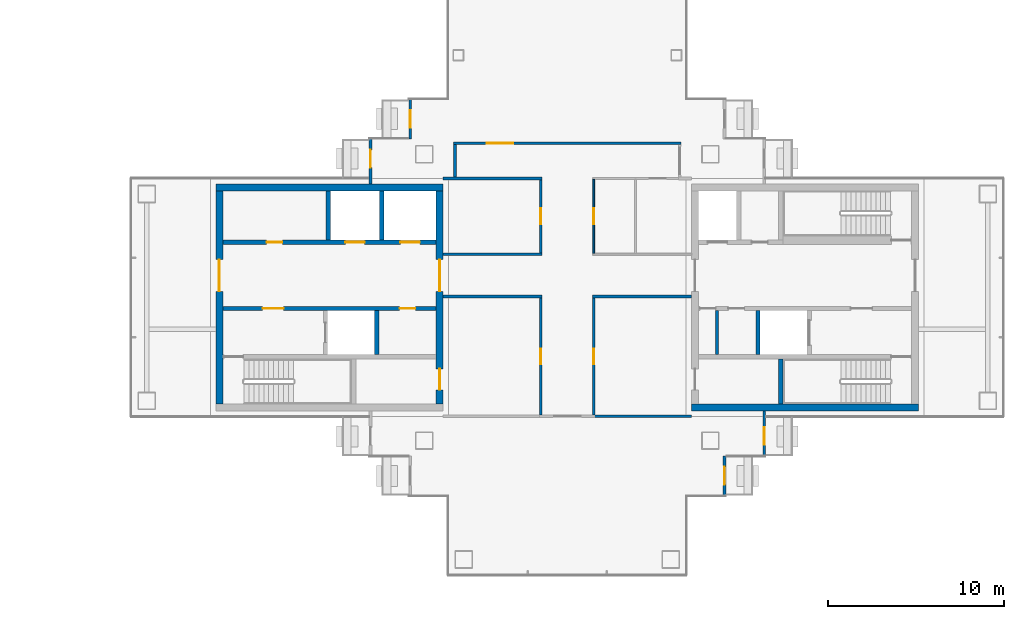
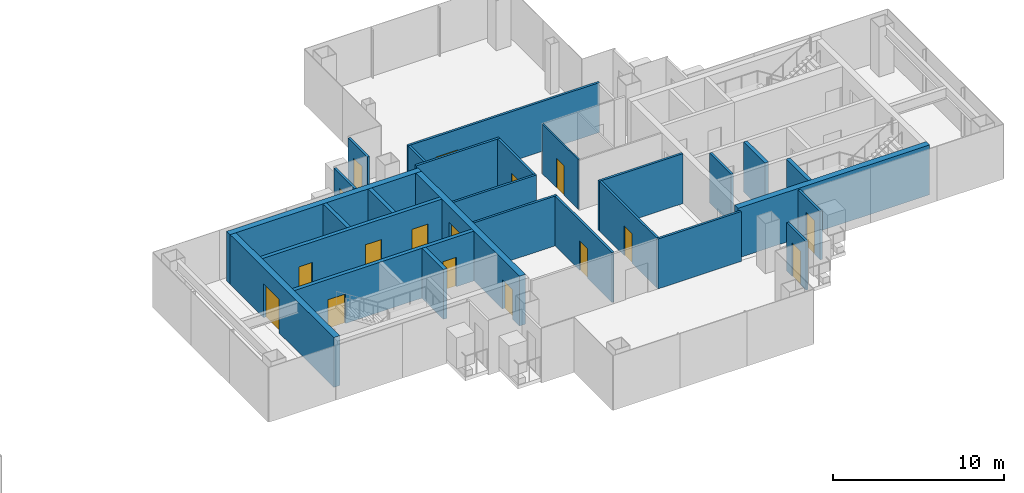
# One storey, part 11 of 16: 27 walls, 17 doors, 17 openings.
"""IFC4 building model written with IfcOpenShell, lengths in metres."""

from ifc_helpers import new_model, si_unit, direction, frame, frame_2d, origin, place, context, subcontext, project, spatial, rectangle, extrude, material, layer, layer_set, type_object, element, fill, save


model = new_model("IFC4")

# Units and contexts
model_context = context("Model", 3, precision=1e-05, world=origin(), true_north=direction((0.0, 1.0)))
body_context = subcontext(model_context, "Body", "Model", "MODEL_VIEW")
ifc_project = project(units=[si_unit("LENGTHUNIT", "METRE"), si_unit("AREAUNIT", "SQUARE_METRE"), si_unit("VOLUMEUNIT", "CUBIC_METRE"), si_unit("PLANEANGLEUNIT", "RADIAN"), si_unit("MASSUNIT", "GRAM", prefix="KILO")], contexts=[model_context])

# Site, building, storey
site_placement = place(None, origin())
site = spatial("IfcSite", under=ifc_project, at=site_placement, CompositionType="ELEMENT")
building_placement = place(site_placement, origin())
building = spatial("IfcBuilding", under=site, at=building_placement, Name="Shamsa Quay Exchange Towers", CompositionType="ELEMENT")
storey_placement = place(building_placement, frame((0.0, 0.0, 210.0)))
storey = spatial("IfcBuildingStorey", under=building, at=storey_placement, Name="L50", CompositionType="ELEMENT", Elevation=210.0)

# Wall, opening, door
ifc_material_1 = material(Name="Aluminium EN AW-6063 T6, black anodised, with black enamelled glass infill", Category="aluminium")
ifc_layer_1 = layer(ifc_material_1, 0.14990234375)
ifc_layer_set_1 = layer_set([ifc_layer_1], Name="BALCONY DOOR BAY WALL 150")
wall_type_1 = type_object("IfcWallType", Name="BALCONY DOOR BAY WALL 150", PredefinedType="SOLIDWALL", material=ifc_layer_set_1)
wall_1_placement = place(storey_placement, frame((24.824951171875, 9.0, 0.0), z_axis=(0.0, 0.0, 1.0), x_axis=(0.0, 1.0, 0.0)))
wall_1 = element("IfcWall", 1, at=wall_1_placement, inside=storey, type_object=wall_type_1, Name="Door bay T2-PKEN L50", PredefinedType="SOLIDWALL", context=body_context, shape_type="SweptSolid", body=[
    extrude(rectangle(XDim=2.25, YDim=0.14990234375, at=frame_2d((1.125, 0.0))), origin(), (0.0, 0.0, 1.0), 3.449951171875),
])
opening_1_placement = place(wall_1_placement, frame((0.625, 0.0, 0.0)))
opening_1 = element("IfcOpeningElement", 2, at=opening_1_placement, cuts=wall_1, Name="Opening XD329", PredefinedType="OPENING", context=body_context, shape_type="SweptSolid", body=[
    extrude(rectangle(XDim=1.0, YDim=2.39990234375, at=frame_2d((0.5, 1.199951171875))), frame((0.0, 0.0849609375, 0.0), z_axis=(0.0, -1.0, 0.0), x_axis=(1.0, 0.0, 0.0)), (0.0, 0.0, 1.0), 0.169921875),
])
ifc_material_2 = material(Name="Aluminium EN AW-6063 T6, black anodised, with laminated glass leaf", Category="aluminium")
door_type_1 = type_object("IfcDoorType", Name="BALCONY DOOR 1000x2400", OperationType="SINGLE_SWING_LEFT", PredefinedType="DOOR", material=ifc_material_2)
door_1_placement = place(opening_1_placement, origin())
door_1 = element("IfcDoor", 3, at=door_1_placement, inside=storey, type_object=door_type_1, Name="Balcony door T2-PKEN L50", OperationType="SINGLE_SWING_RIGHT", OverallHeight=2.39990234375, OverallWidth=1.0, PredefinedType="DOOR", context=body_context, shape_type="SweptSolid", body=[
    extrude(rectangle(XDim=1.0, YDim=2.39990234375, at=frame_2d((0.5, 1.199951171875))), frame((0.0, 0.02490234375, 0.0), z_axis=(0.0, -1.0, 0.0), x_axis=(1.0, 0.0, 0.0)), (0.0, 0.0, 1.0), 0.050048828125),
])
fill(opening_1, door_1)

wall_2_placement = place(storey_placement, frame((22.574951171875, 6.447998046875, 0.0), z_axis=(0.0, 0.0, 1.0), x_axis=(0.0, 1.0, 0.0)))
wall_2 = element("IfcWall", 4, at=wall_2_placement, inside=storey, type_object=wall_type_1, Name="Door bay T2-PKEN L50", PredefinedType="SOLIDWALL", context=body_context, shape_type="SweptSolid", body=[
    extrude(rectangle(XDim=2.552001953125, YDim=0.14990234375, at=frame_2d((1.27587890625, 0.0))), origin(), (0.0, 0.0, 1.0), 3.449951171875),
])
opening_2_placement = place(wall_2_placement, frame((0.927001953125, 0.0, 0.0)))
opening_2 = element("IfcOpeningElement", 5, at=opening_2_placement, cuts=wall_2, Name="Opening XD330", PredefinedType="OPENING", context=body_context, shape_type="SweptSolid", body=[
    extrude(rectangle(XDim=1.0, YDim=2.39990234375, at=frame_2d((0.5, 1.199951171875))), frame((0.0, 0.0849609375, 0.0), z_axis=(0.0, -1.0, 0.0), x_axis=(1.0, 0.0, 0.0)), (0.0, 0.0, 1.0), 0.169921875),
])
door_2_placement = place(opening_2_placement, origin())
door_2 = element("IfcDoor", 6, at=door_2_placement, inside=storey, type_object=door_type_1, Name="Balcony door T2-PKEN L50", OperationType="SINGLE_SWING_LEFT", OverallHeight=2.39990234375, OverallWidth=1.0, PredefinedType="DOOR", context=body_context, shape_type="SweptSolid", body=[
    extrude(rectangle(XDim=1.0, YDim=2.39990234375, at=frame_2d((0.5, 1.199951171875))), frame((0.0, 0.02490234375, 0.0), z_axis=(0.0, -1.0, 0.0), x_axis=(1.0, 0.0, 0.0)), (0.0, 0.0, 1.0), 0.050048828125),
])
fill(opening_2, door_2)

wall_3_placement = place(storey_placement, frame((42.675048828125, -9.0, 0.0), z_axis=(0.0, 0.0, 1.0), x_axis=(0.0, -1.0, 0.0)))
wall_3 = element("IfcWall", 7, at=wall_3_placement, inside=storey, type_object=wall_type_1, Name="Door bay T2-PKWS L50", PredefinedType="SOLIDWALL", context=body_context, shape_type="SweptSolid", body=[
    extrude(rectangle(XDim=2.25, YDim=0.14990234375, at=frame_2d((1.125, 0.0))), origin(), (0.0, 0.0, 1.0), 3.449951171875),
])
opening_3_placement = place(wall_3_placement, frame((0.625, 0.0, 0.0)))
opening_3 = element("IfcOpeningElement", 8, at=opening_3_placement, cuts=wall_3, Name="Opening XD335", PredefinedType="OPENING", context=body_context, shape_type="SweptSolid", body=[
    extrude(rectangle(XDim=1.0, YDim=2.39990234375, at=frame_2d((0.5, 1.199951171875))), frame((0.0, 0.0849609375, 0.0), z_axis=(0.0, -1.0, 0.0), x_axis=(1.0, 0.0, 0.0)), (0.0, 0.0, 1.0), 0.169921875),
])
door_3_placement = place(opening_3_placement, origin())
door_3 = element("IfcDoor", 9, at=door_3_placement, inside=storey, type_object=door_type_1, Name="Balcony door T2-PKWS L50", OperationType="SINGLE_SWING_LEFT", OverallHeight=2.39990234375, OverallWidth=1.0, PredefinedType="DOOR", context=body_context, shape_type="SweptSolid", body=[
    extrude(rectangle(XDim=1.0, YDim=2.39990234375, at=frame_2d((0.5, 1.199951171875))), frame((0.0, 0.02490234375, 0.0), z_axis=(0.0, -1.0, 0.0), x_axis=(1.0, 0.0, 0.0)), (0.0, 0.0, 1.0), 0.050048828125),
])
fill(opening_3, door_3)

wall_4_placement = place(storey_placement, frame((44.925048828125, -6.447998046875, 0.0), z_axis=(0.0, 0.0, 1.0), x_axis=(0.0, -1.0, 0.0)))
wall_4 = element("IfcWall", 10, at=wall_4_placement, inside=storey, type_object=wall_type_1, Name="Door bay T2-PKWS L50", PredefinedType="SOLIDWALL", context=body_context, shape_type="SweptSolid", body=[
    extrude(rectangle(XDim=2.552001953125, YDim=0.14990234375, at=frame_2d((1.27587890625, 0.0))), origin(), (0.0, 0.0, 1.0), 3.449951171875),
])
opening_4_placement = place(wall_4_placement, frame((0.927001953125, 0.0, 0.0)))
opening_4 = element("IfcOpeningElement", 11, at=opening_4_placement, cuts=wall_4, Name="Opening XD336", PredefinedType="OPENING", context=body_context, shape_type="SweptSolid", body=[
    extrude(rectangle(XDim=1.0, YDim=2.39990234375, at=frame_2d((0.5, 1.199951171875))), frame((0.0, 0.0849609375, 0.0), z_axis=(0.0, -1.0, 0.0), x_axis=(1.0, 0.0, 0.0)), (0.0, 0.0, 1.0), 0.169921875),
])
door_4_placement = place(opening_4_placement, origin())
door_4 = element("IfcDoor", 12, at=door_4_placement, inside=storey, type_object=door_type_1, Name="Balcony door T2-PKWS L50", OperationType="SINGLE_SWING_RIGHT", OverallHeight=2.39990234375, OverallWidth=1.0, PredefinedType="DOOR", context=body_context, shape_type="SweptSolid", body=[
    extrude(rectangle(XDim=1.0, YDim=2.39990234375, at=frame_2d((0.5, 1.199951171875))), frame((0.0, 0.02490234375, 0.0), z_axis=(0.0, -1.0, 0.0), x_axis=(1.0, 0.0, 0.0)), (0.0, 0.0, 1.0), 0.050048828125),
])
fill(opening_4, door_4)

# Wall
ifc_material_3 = material(Name="Concrete C60/75", Category="concrete")
ifc_layer_2 = layer(ifc_material_3, 0.39990234375)
ifc_layer_set_2 = layer_set([ifc_layer_2], Name="CORE WALL 400 C60/75")
wall_type_2 = type_object("IfcWallType", Name="CORE WALL 400 C60/75", PredefinedType="SHEAR", material=ifc_layer_set_2)
wall_5_placement = place(storey_placement, frame((13.800048828125, 6.25, 0.0)))
element("IfcWall", 13, at=wall_5_placement, inside=storey, type_object=wall_type_2, Name="Core wall T2A-R23-PN", PredefinedType="SHEAR", context=body_context, shape_type="SweptSolid", body=[
    extrude(rectangle(XDim=12.89990234375, YDim=0.39990234375, at=frame_2d((6.449951171875, 0.0))), origin(), (0.0, 0.0, 1.0), 3.550048828125),
])

# Wall, opening, door
wall_6_placement = place(storey_placement, frame((14.0, 6.050048828125, 0.0), z_axis=(0.0, 0.0, 1.0), x_axis=(0.0, -1.0, 0.0)))
wall_6 = element("IfcWall", 14, at=wall_6_placement, inside=storey, type_object=wall_type_2, Name="Core wall T2A-R23-PF", PredefinedType="SHEAR", context=body_context, shape_type="SweptSolid", body=[
    extrude(rectangle(XDim=12.10009765625, YDim=0.39990234375, at=frame_2d((6.050048828125, 0.0))), origin(), (0.0, 0.0, 1.0), 3.550048828125),
])
opening_5_placement = place(wall_6_placement, frame((3.89990234375, 0.0, 0.0)))
opening_5 = element("IfcOpeningElement", 15, at=opening_5_placement, cuts=wall_6, Name="Opening T2A-R23-LBD01", PredefinedType="OPENING", context=body_context, shape_type="SweptSolid", body=[
    extrude(rectangle(XDim=1.800048828125, YDim=2.39990234375, at=frame_2d((0.89990234375, 1.199951171875))), frame((0.0, 0.2099609375, 0.0), z_axis=(0.0, -1.0, 0.0), x_axis=(1.0, 0.0, 0.0)), (0.0, 0.0, 1.0), 0.419921875),
])
ifc_material_4 = material(Name="Steel, fire rated", Category="steel")
door_type_2 = type_object("IfcDoorType", Name="LIFT LOBBY DOOR PAIR 1800", OperationType="DOUBLE_DOOR_SINGLE_SWING", PredefinedType="DOOR", material=ifc_material_4)
door_5_placement = place(opening_5_placement, origin())
door_5 = element("IfcDoor", 16, at=door_5_placement, inside=storey, type_object=door_type_2, Name="T2A-R23-LBD01", OperationType="DOUBLE_DOOR_SINGLE_SWING", OverallHeight=2.39990234375, OverallWidth=1.800048828125, PredefinedType="DOOR", context=body_context, shape_type="SweptSolid", body=[
    extrude(rectangle(XDim=1.800048828125, YDim=2.39990234375, at=frame_2d((0.89990234375, 1.199951171875))), frame((0.0, 0.02490234375, 0.0), z_axis=(0.0, -1.0, 0.0), x_axis=(1.0, 0.0, 0.0)), (0.0, 0.0, 1.0), 0.050048828125),
])
fill(opening_5, door_5)

# Wall, openings, doors
wall_7_placement = place(storey_placement, frame((26.5, 6.050048828125, 0.0), z_axis=(0.0, 0.0, 1.0), x_axis=(0.0, -1.0, 0.0)))
wall_7 = element("IfcWall", 17, at=wall_7_placement, inside=storey, type_object=wall_type_2, Name="Core wall T2A-R23-PB", PredefinedType="SHEAR", context=body_context, shape_type="SweptSolid", body=[
    extrude(rectangle(XDim=12.10009765625, YDim=0.39990234375, at=frame_2d((6.050048828125, 0.0))), origin(), (0.0, 0.0, 1.0), 3.550048828125),
])
opening_6_placement = place(wall_7_placement, frame((10.10009765625, 0.0, 0.0)))
opening_6 = element("IfcOpeningElement", 18, at=opening_6_placement, cuts=wall_7, Name="Opening T2A-R23-RD02", PredefinedType="OPENING", context=body_context, shape_type="SweptSolid", body=[
    extrude(rectangle(XDim=1.199951171875, YDim=2.10009765625, at=frame_2d((0.60009765625, 1.050048828125))), frame((0.0, 0.2099609375, 0.0), z_axis=(0.0, -1.0, 0.0), x_axis=(1.0, 0.0, 0.0)), (0.0, 0.0, 1.0), 0.419921875),
])
opening_7_placement = place(wall_7_placement, frame((3.89990234375, 0.0, 0.0)))
opening_7 = element("IfcOpeningElement", 19, at=opening_7_placement, cuts=wall_7, Name="Opening T2A-R23-LBD03", PredefinedType="OPENING", context=body_context, shape_type="SweptSolid", body=[
    extrude(rectangle(XDim=1.800048828125, YDim=2.39990234375, at=frame_2d((0.89990234375, 1.199951171875))), frame((0.0, 0.2099609375, 0.0), z_axis=(0.0, -1.0, 0.0), x_axis=(1.0, 0.0, 0.0)), (0.0, 0.0, 1.0), 0.419921875),
])
door_6_placement = place(opening_7_placement, origin())
door_6 = element("IfcDoor", 20, at=door_6_placement, inside=storey, type_object=door_type_2, Name="T2A-R23-LBD03", OperationType="DOUBLE_DOOR_SINGLE_SWING", OverallHeight=2.39990234375, OverallWidth=1.800048828125, PredefinedType="DOOR", context=body_context, shape_type="SweptSolid", body=[
    extrude(rectangle(XDim=1.800048828125, YDim=2.39990234375, at=frame_2d((0.89990234375, 1.199951171875))), frame((0.0, 0.02490234375, 0.0), z_axis=(0.0, -1.0, 0.0), x_axis=(1.0, 0.0, 0.0)), (0.0, 0.0, 1.0), 0.050048828125),
])
fill(opening_7, door_6)
door_type_3 = type_object("IfcDoorType", Name="RISER ACCESS DOOR 1200", OperationType="SINGLE_SWING_LEFT", PredefinedType="DOOR", material=ifc_material_4)
door_7_placement = place(opening_6_placement, origin())
door_7 = element("IfcDoor", 21, at=door_7_placement, inside=storey, type_object=door_type_3, Name="T2A-R23-RD02", OperationType="SINGLE_SWING_RIGHT", OverallHeight=2.10009765625, OverallWidth=1.199951171875, PredefinedType="DOOR", context=body_context, shape_type="SweptSolid", body=[
    extrude(rectangle(XDim=1.199951171875, YDim=2.10009765625, at=frame_2d((0.60009765625, 1.050048828125))), frame((0.0, 0.02490234375, 0.0), z_axis=(0.0, -1.0, 0.0), x_axis=(1.0, 0.0, 0.0)), (0.0, 0.0, 1.0), 0.050048828125),
])
fill(opening_6, door_7)

# Walls
wall_8_placement = place(storey_placement, frame((53.699951171875, -6.25, 0.0), z_axis=(0.0, 0.0, 1.0), x_axis=(-1.0, 0.0, 0.0)))
element("IfcWall", 22, at=wall_8_placement, inside=storey, type_object=wall_type_2, Name="Core wall T2B-R23-PS", PredefinedType="SHEAR", context=body_context, shape_type="SweptSolid", body=[
    extrude(rectangle(XDim=12.89990234375, YDim=0.39990234375, at=frame_2d((6.449951171875, 0.0))), origin(), (0.0, 0.0, 1.0), 3.550048828125),
])
ifc_material_5 = material(Name="Gypsum board on steel studs, EI 60", Category="steel")
ifc_layer_3 = layer(ifc_material_5, 0.14990234375)
ifc_layer_set_3 = layer_set([ifc_layer_3], Name="FIRE PARTITION 150")
wall_type_3 = type_object("IfcWallType", Name="FIRE PARTITION 150", PredefinedType="PARTITIONING", material=ifc_layer_set_3)
wall_9_placement = place(storey_placement, frame((42.25, -3.25, 0.0), z_axis=(0.0, 0.0, 1.0), x_axis=(0.0, 1.0, 0.0)))
element("IfcWall", 23, at=wall_9_placement, inside=storey, type_object=wall_type_3, Name="Partition T2B-R23-EC0", PredefinedType="PARTITIONING", context=body_context, shape_type="SweptSolid", body=[
    extrude(rectangle(XDim=2.5, YDim=0.14990234375, at=frame_2d((1.25, 0.0))), origin(), (0.0, 0.0, 1.0), 3.550048828125),
])

# Wall, opening, door
ifc_material_6 = material(Name="Gypsum board partition on metal studs")
ifc_layer_4 = layer(ifc_material_6, 0.10009765625)
ifc_layer_set_4 = layer_set([ifc_layer_4], Name="Partition 100 mm NOT RATED")
wall_type_4 = type_object("IfcWallType", Name="Partition 100 mm NOT RATED", PredefinedType="PARTITIONING", material=ifc_layer_set_4)
wall_10_placement = place(storey_placement, frame((35.25, 6.699951171875, 0.0), z_axis=(0.0, 0.0, 1.0), x_axis=(0.0, -1.0, 0.0)))
wall_10 = element("IfcWall", 24, at=wall_10_placement, inside=storey, type_object=wall_type_4, Name="Partition T2-R23-W10", PredefinedType="PARTITIONING", context=body_context, shape_type="SweptSolid", body=[
    extrude(rectangle(XDim=4.19970703125, YDim=0.10009765625, at=frame_2d((2.099853515625, 0.0))), origin(), (0.0, 0.0, 1.0), 3.550048828125),
])
opening_8_placement = place(wall_10_placement, frame((1.64990234375, 0.0, 0.0)))
opening_8 = element("IfcOpeningElement", 25, at=opening_8_placement, cuts=wall_10, Name="Opening T2-R23-D03", PredefinedType="OPENING", context=body_context, shape_type="SweptSolid", body=[
    extrude(rectangle(XDim=0.89990234375, YDim=2.10009765625, at=frame_2d((0.449951171875, 1.050048828125))), frame((0.0, 0.06005859375, 0.0), z_axis=(0.0, -1.0, 0.0), x_axis=(1.0, 0.0, 0.0)), (0.0, 0.0, 1.0), 0.1201171875),
])
ifc_material_7 = material(Name="Timber door leaf in a metal frame", Category="wood")
door_type_4 = type_object("IfcDoorType", Name="Door 900x2100 NOT RATED", OperationType="NOTDEFINED", PredefinedType="DOOR", material=ifc_material_7)
door_8_placement = place(opening_8_placement, origin())
door_8 = element("IfcDoor", 26, at=door_8_placement, inside=storey, type_object=door_type_4, Name="Door T2-R23-D03", OperationType="SINGLE_SWING_RIGHT", OverallHeight=2.10009765625, OverallWidth=0.89990234375, PredefinedType="DOOR", context=body_context, shape_type="SweptSolid", body=[
    extrude(rectangle(XDim=0.89990234375, YDim=2.10009765625, at=frame_2d((0.449951171875, 1.050048828125))), frame((0.0, 0.02490234375, 0.0), z_axis=(0.0, -1.0, 0.0), x_axis=(1.0, 0.0, 0.0)), (0.0, 0.0, 1.0), 0.050048828125),
])
fill(opening_8, door_8)

# Wall
ifc_layer_5 = layer(ifc_material_6, 0.14990234375)
ifc_layer_set_5 = layer_set([ifc_layer_5], Name="Partition 150 mm EI 60")
wall_type_5 = type_object("IfcWallType", Name="Partition 150 mm EI 60", PredefinedType="PARTITIONING", material=ifc_layer_set_5)
wall_11_placement = place(storey_placement, frame((32.324951171875, 6.75, 0.0), z_axis=(0.0, 0.0, 1.0), x_axis=(-1.0, 0.0, 0.0)))
element("IfcWall", 27, at=wall_11_placement, inside=storey, type_object=wall_type_5, Name="Partition T2-R23-W01", PredefinedType="PARTITIONING", context=body_context, shape_type="SweptSolid", body=[
    extrude(rectangle(XDim=5.625, YDim=0.14990234375, at=frame_2d((2.8125, 0.0))), origin(), (0.0, 0.0, 1.0), 3.550048828125),
])

# Wall, opening, door
wall_12_placement = place(storey_placement, frame((32.25, 2.525146484375, 0.0), z_axis=(0.0, 0.0, 1.0), x_axis=(0.0, 1.0, 0.0)))
wall_12 = element("IfcWall", 28, at=wall_12_placement, inside=storey, type_object=wall_type_5, Name="Partition T2-R23-W03", PredefinedType="PARTITIONING", context=body_context, shape_type="SweptSolid", body=[
    extrude(rectangle(XDim=4.14990234375, YDim=0.14990234375, at=frame_2d((2.074951171875, 0.0))), origin(), (0.0, 0.0, 1.0), 3.550048828125),
])
opening_9_placement = place(wall_12_placement, frame((1.625, 0.0, 0.0)))
opening_9 = element("IfcOpeningElement", 29, at=opening_9_placement, cuts=wall_12, Name="Opening T2-R23-D07", PredefinedType="OPENING", context=body_context, shape_type="SweptSolid", body=[
    extrude(rectangle(XDim=0.89990234375, YDim=2.10009765625, at=frame_2d((0.449951171875, 1.050048828125))), frame((0.0, 0.0849609375, 0.0), z_axis=(0.0, -1.0, 0.0), x_axis=(1.0, 0.0, 0.0)), (0.0, 0.0, 1.0), 0.169921875),
])
door_type_5 = type_object("IfcDoorType", Name="Door 900x2100 FD30S", OperationType="NOTDEFINED", PredefinedType="DOOR", material=ifc_material_7)
door_9_placement = place(opening_9_placement, origin())
door_9 = element("IfcDoor", 30, at=door_9_placement, inside=storey, type_object=door_type_5, Name="Door T2-R23-D07", OperationType="SINGLE_SWING_LEFT", OverallHeight=2.10009765625, OverallWidth=0.89990234375, PredefinedType="DOOR", context=body_context, shape_type="SweptSolid", body=[
    extrude(rectangle(XDim=0.89990234375, YDim=2.10009765625, at=frame_2d((0.449951171875, 1.050048828125))), frame((0.0, 0.02490234375, 0.0), z_axis=(0.0, -1.0, 0.0), x_axis=(1.0, 0.0, 0.0)), (0.0, 0.0, 1.0), 0.050048828125),
])
fill(opening_9, door_9)

wall_13_placement = place(storey_placement, frame((32.25, -6.675048828125, 0.0), z_axis=(0.0, 0.0, 1.0), x_axis=(0.0, 1.0, 0.0)))
wall_13 = element("IfcWall", 31, at=wall_13_placement, inside=storey, type_object=wall_type_5, Name="Partition T2-R23-W04", PredefinedType="PARTITIONING", context=body_context, shape_type="SweptSolid", body=[
    extrude(rectangle(XDim=6.64990234375, YDim=0.14990234375, at=frame_2d((3.324951171875, 0.0))), origin(), (0.0, 0.0, 1.0), 3.550048828125),
])
opening_10_placement = place(wall_13_placement, frame((2.875, 0.0, 0.0)))
opening_10 = element("IfcOpeningElement", 32, at=opening_10_placement, cuts=wall_13, Name="Opening T2-R23-D06", PredefinedType="OPENING", context=body_context, shape_type="SweptSolid", body=[
    extrude(rectangle(XDim=0.89990234375, YDim=2.10009765625, at=frame_2d((0.449951171875, 1.050048828125))), frame((0.0, 0.0849609375, 0.0), z_axis=(0.0, -1.0, 0.0), x_axis=(1.0, 0.0, 0.0)), (0.0, 0.0, 1.0), 0.169921875),
])
door_10_placement = place(opening_10_placement, origin())
door_10 = element("IfcDoor", 33, at=door_10_placement, inside=storey, type_object=door_type_5, Name="Door T2-R23-D06", OperationType="SINGLE_SWING_LEFT", OverallHeight=2.10009765625, OverallWidth=0.89990234375, PredefinedType="DOOR", context=body_context, shape_type="SweptSolid", body=[
    extrude(rectangle(XDim=0.89990234375, YDim=2.10009765625, at=frame_2d((0.449951171875, 1.050048828125))), frame((0.0, 0.02490234375, 0.0), z_axis=(0.0, -1.0, 0.0), x_axis=(1.0, 0.0, 0.0)), (0.0, 0.0, 1.0), 0.050048828125),
])
fill(opening_10, door_10)

# Walls
wall_14_placement = place(storey_placement, frame((26.699951171875, 2.4501953125, 0.0)))
element("IfcWall", 34, at=wall_14_placement, inside=storey, type_object=wall_type_5, Name="Partition T2-R23-W05", PredefinedType="PARTITIONING", context=body_context, shape_type="SweptSolid", body=[
    extrude(rectangle(XDim=5.625, YDim=0.14990234375, at=frame_2d((2.8125, 0.0))), origin(), (0.0, 0.0, 1.0), 3.550048828125),
])
for number, where, z_axis, x_axis, name in (
    (35, (32.324951171875, 0.0498046875, 0.0), (0.0, 0.0, 1.0), (-1.0, 0.0, 0.0), "Partition T2-R23-W06"),
    (36, (40.800048828125, 0.0498046875, 0.0), (0.0, 0.0, 1.0), (-1.0, 0.0, 0.0), "Partition T2-R23-W07"),
):
    element("IfcWall", number, at=place(storey_placement, frame(where, z_axis=z_axis, x_axis=x_axis)), inside=storey, type_object=wall_type_5, Name=name, PredefinedType="PARTITIONING", context=body_context, shape_type="SweptSolid", body=[
        extrude(rectangle(XDim=5.625, YDim=0.14990234375, at=frame_2d((2.8125, 0.0))), origin(), (0.0, 0.0, 1.0), 3.550048828125),
    ])

# Wall, opening, door
wall_15_placement = place(storey_placement, frame((35.25, -0.025146484375, 0.0), z_axis=(0.0, 0.0, 1.0), x_axis=(0.0, -1.0, 0.0)))
wall_15 = element("IfcWall", 37, at=wall_15_placement, inside=storey, type_object=wall_type_5, Name="Partition T2-R23-W11", PredefinedType="PARTITIONING", context=body_context, shape_type="SweptSolid", body=[
    extrude(rectangle(XDim=6.64990234375, YDim=0.14990234375, at=frame_2d((3.324951171875, 0.0))), origin(), (0.0, 0.0, 1.0), 3.550048828125),
])
opening_11_placement = place(wall_15_placement, frame((2.875, 0.0, 0.0)))
opening_11 = element("IfcOpeningElement", 38, at=opening_11_placement, cuts=wall_15, Name="Opening T2-R23-D02", PredefinedType="OPENING", context=body_context, shape_type="SweptSolid", body=[
    extrude(rectangle(XDim=0.89990234375, YDim=2.10009765625, at=frame_2d((0.449951171875, 1.050048828125))), frame((0.0, 0.0849609375, 0.0), z_axis=(0.0, -1.0, 0.0), x_axis=(1.0, 0.0, 0.0)), (0.0, 0.0, 1.0), 0.169921875),
])
door_11_placement = place(opening_11_placement, origin())
door_11 = element("IfcDoor", 39, at=door_11_placement, inside=storey, type_object=door_type_5, Name="Door T2-R23-D02", OperationType="SINGLE_SWING_RIGHT", OverallHeight=2.10009765625, OverallWidth=0.89990234375, PredefinedType="DOOR", context=body_context, shape_type="SweptSolid", body=[
    extrude(rectangle(XDim=0.89990234375, YDim=2.10009765625, at=frame_2d((0.449951171875, 1.050048828125))), frame((0.0, 0.02490234375, 0.0), z_axis=(0.0, -1.0, 0.0), x_axis=(1.0, 0.0, 0.0)), (0.0, 0.0, 1.0), 0.050048828125),
])
fill(opening_11, door_11)

wall_16_placement = place(storey_placement, frame((40.199951171875, 8.75, 0.0), z_axis=(0.0, 0.0, 1.0), x_axis=(-1.0, 0.0, 0.0)))
wall_16 = element("IfcWall", 40, at=wall_16_placement, inside=storey, type_object=wall_type_5, Name="Partition T2-R23-W13", PredefinedType="PARTITIONING", context=body_context, shape_type="SweptSolid", body=[
    extrude(rectangle(XDim=12.89990234375, YDim=0.14990234375, at=frame_2d((6.449951171875, 0.0))), origin(), (0.0, 0.0, 1.0), 3.550048828125),
])
opening_12_placement = place(wall_16_placement, frame((9.52490234375, 0.0, 0.0)))
opening_12 = element("IfcOpeningElement", 41, at=opening_12_placement, cuts=wall_16, Name="Opening T2-R23-D08", PredefinedType="OPENING", context=body_context, shape_type="SweptSolid", body=[
    extrude(rectangle(XDim=1.5, YDim=2.10009765625, at=frame_2d((0.75, 1.050048828125))), frame((0.0, 0.0849609375, 0.0), z_axis=(0.0, -1.0, 0.0), x_axis=(1.0, 0.0, 0.0)), (0.0, 0.0, 1.0), 0.169921875),
])
door_type_6 = type_object("IfcDoorType", Name="Door 1500x2100 FD30S pair", OperationType="NOTDEFINED", PredefinedType="DOOR", material=ifc_material_7)
door_12_placement = place(opening_12_placement, origin())
door_12 = element("IfcDoor", 42, at=door_12_placement, inside=storey, type_object=door_type_6, Name="Door T2-R23-D08", OperationType="DOUBLE_DOOR_SINGLE_SWING", OverallHeight=2.10009765625, OverallWidth=1.5, PredefinedType="DOOR", context=body_context, shape_type="SweptSolid", body=[
    extrude(rectangle(XDim=1.5, YDim=2.10009765625, at=frame_2d((0.75, 1.050048828125))), frame((0.0, 0.02490234375, 0.0), z_axis=(0.0, -1.0, 0.0), x_axis=(1.0, 0.0, 0.0)), (0.0, 0.0, 1.0), 0.050048828125),
])
fill(opening_12, door_12)

# Walls
wall_17_placement = place(storey_placement, frame((27.375, 8.675048828125, 0.0), z_axis=(0.0, 0.0, 1.0), x_axis=(0.0, -1.0, 0.0)))
element("IfcWall", 43, at=wall_17_placement, inside=storey, type_object=wall_type_5, Name="Partition T2-R23-W14", PredefinedType="PARTITIONING", context=body_context, shape_type="SweptSolid", body=[
    extrude(rectangle(XDim=1.85009765625, YDim=0.14990234375, at=frame_2d((0.925048828125, 0.0))), origin(), (0.0, 0.0, 1.0), 3.550048828125),
])
wall_18_placement = place(storey_placement, frame((35.175048828125, -6.75, 0.0)))
element("IfcWall", 44, at=wall_18_placement, inside=storey, type_object=wall_type_5, Name="Partition T2-R23-W16", PredefinedType="PARTITIONING", context=body_context, shape_type="SweptSolid", body=[
    extrude(rectangle(XDim=5.625, YDim=0.14990234375, at=frame_2d((2.8125, 0.0))), origin(), (0.0, 0.0, 1.0), 3.550048828125),
])

# Wall, openings, doors
ifc_material_8 = material(Name="Concrete C50/60", Category="concrete")
ifc_layer_6 = layer(ifc_material_8, 0.25)
ifc_layer_set_6 = layer_set([ifc_layer_6], Name="SHAFT WALL 250 C50/60")
wall_type_6 = type_object("IfcWallType", Name="SHAFT WALL 250 C50/60", PredefinedType="SHEAR", material=ifc_layer_set_6)
wall_19_placement = place(storey_placement, frame((26.300048828125, -0.625, 0.0), z_axis=(0.0, 0.0, 1.0), x_axis=(-1.0, 0.0, 0.0)))
wall_19 = element("IfcWall", 45, at=wall_19_placement, inside=storey, type_object=wall_type_6, Name="Shaft wall T2A-R23-B", PredefinedType="SHEAR", context=body_context, shape_type="SweptSolid", body=[
    extrude(rectangle(XDim=12.10009765625, YDim=0.25, at=frame_2d((6.050048828125, 0.0))), origin(), (0.0, 0.0, 1.0), 3.550048828125),
])
opening_13_placement = place(wall_19_placement, frame((8.64990234375, 0.0, 0.0)))
opening_13 = element("IfcOpeningElement", 46, at=opening_13_placement, cuts=wall_19, Name="Opening T2A-R23-FD05", PredefinedType="OPENING", context=body_context, shape_type="SweptSolid", body=[
    extrude(rectangle(XDim=1.199951171875, YDim=2.10009765625, at=frame_2d((0.60009765625, 1.050048828125))), frame((0.0, 0.135009765625, 0.0), z_axis=(0.0, -1.0, 0.0), x_axis=(1.0, 0.0, 0.0)), (0.0, 0.0, 1.0), 0.27001953125),
])
opening_14_placement = place(wall_19_placement, frame((1.175048828125, 0.0, 0.0)))
opening_14 = element("IfcOpeningElement", 47, at=opening_14_placement, cuts=wall_19, Name="Opening T2A-R23-SV06", PredefinedType="OPENING", context=body_context, shape_type="SweptSolid", body=[
    extrude(rectangle(XDim=0.89990234375, YDim=2.10009765625, at=frame_2d((0.449951171875, 1.050048828125))), frame((0.0, 0.135009765625, 0.0), z_axis=(0.0, -1.0, 0.0), x_axis=(1.0, 0.0, 0.0)), (0.0, 0.0, 1.0), 0.27001953125),
])
door_type_7 = type_object("IfcDoorType", Name="FIRE SERVICE LOBBY DOOR 1200", OperationType="SINGLE_SWING_LEFT", PredefinedType="DOOR", material=ifc_material_4)
door_13_placement = place(opening_13_placement, origin())
door_13 = element("IfcDoor", 48, at=door_13_placement, inside=storey, type_object=door_type_7, Name="T2A-R23-FD05", OperationType="SINGLE_SWING_RIGHT", OverallHeight=2.10009765625, OverallWidth=1.199951171875, PredefinedType="DOOR", context=body_context, shape_type="SweptSolid", body=[
    extrude(rectangle(XDim=1.199951171875, YDim=2.10009765625, at=frame_2d((0.60009765625, 1.050048828125))), frame((0.0, 0.02490234375, 0.0), z_axis=(0.0, -1.0, 0.0), x_axis=(1.0, 0.0, 0.0)), (0.0, 0.0, 1.0), 0.050048828125),
])
fill(opening_13, door_13)
door_type_8 = type_object("IfcDoorType", Name="SERVICE ROOM DOOR 900", OperationType="SINGLE_SWING_LEFT", PredefinedType="DOOR", material=ifc_material_4)
door_14_placement = place(opening_14_placement, origin())
door_14 = element("IfcDoor", 49, at=door_14_placement, inside=storey, type_object=door_type_8, Name="T2A-R23-SV06", OperationType="SINGLE_SWING_LEFT", OverallHeight=2.10009765625, OverallWidth=0.89990234375, PredefinedType="DOOR", context=body_context, shape_type="SweptSolid", body=[
    extrude(rectangle(XDim=0.89990234375, YDim=2.10009765625, at=frame_2d((0.449951171875, 1.050048828125))), frame((0.0, 0.02490234375, 0.0), z_axis=(0.0, -1.0, 0.0), x_axis=(1.0, 0.0, 0.0)), (0.0, 0.0, 1.0), 0.050048828125),
])
fill(opening_14, door_14)

# Wall
wall_20_placement = place(storey_placement, frame((22.925048828125, -3.25, 0.0), z_axis=(0.0, 0.0, 1.0), x_axis=(0.0, 1.0, 0.0)))
element("IfcWall", 50, at=wall_20_placement, inside=storey, type_object=wall_type_6, Name="Shaft wall T2A-R23-FFB", PredefinedType="SHEAR", context=body_context, shape_type="SweptSolid", body=[
    extrude(rectangle(XDim=2.5, YDim=0.25, at=frame_2d((1.25, 0.0))), origin(), (0.0, 0.0, 1.0), 3.550048828125),
])

# Wall, openings, doors
wall_21_placement = place(storey_placement, frame((14.199951171875, 3.125, 0.0)))
wall_21 = element("IfcWall", 51, at=wall_21_placement, inside=storey, type_object=wall_type_6, Name="Shaft wall T2A-R23-N", PredefinedType="SHEAR", context=body_context, shape_type="SweptSolid", body=[
    extrude(rectangle(XDim=12.10009765625, YDim=0.25, at=frame_2d((6.050048828125, 0.0))), origin(), (0.0, 0.0, 1.0), 3.550048828125),
])
opening_15_placement = place(wall_21_placement, frame((6.949951171875, 0.0, 0.0)))
opening_15 = element("IfcOpeningElement", 52, at=opening_15_placement, cuts=wall_21, Name="Opening T2A-R23-LD08", PredefinedType="OPENING", context=body_context, shape_type="SweptSolid", body=[
    extrude(rectangle(XDim=1.10009765625, YDim=2.10009765625, at=frame_2d((0.550048828125, 1.050048828125))), frame((0.0, 0.135009765625, 0.0), z_axis=(0.0, -1.0, 0.0), x_axis=(1.0, 0.0, 0.0)), (0.0, 0.0, 1.0), 0.27001953125),
])
opening_16_placement = place(wall_21_placement, frame((10.074951171875, 0.0, 0.0)))
opening_16 = element("IfcOpeningElement", 53, at=opening_16_placement, cuts=wall_21, Name="Opening T2A-R23-LD09", PredefinedType="OPENING", context=body_context, shape_type="SweptSolid", body=[
    extrude(rectangle(XDim=1.10009765625, YDim=2.10009765625, at=frame_2d((0.550048828125, 1.050048828125))), frame((0.0, 0.135009765625, 0.0), z_axis=(0.0, -1.0, 0.0), x_axis=(1.0, 0.0, 0.0)), (0.0, 0.0, 1.0), 0.27001953125),
])
opening_17_placement = place(wall_21_placement, frame((2.47509765625, 0.0, 0.0)))
opening_17 = element("IfcOpeningElement", 54, at=opening_17_placement, cuts=wall_21, Name="Opening T2A-R23-SV10", PredefinedType="OPENING", context=body_context, shape_type="SweptSolid", body=[
    extrude(rectangle(XDim=0.89990234375, YDim=2.10009765625, at=frame_2d((0.449951171875, 1.050048828125))), frame((0.0, 0.135009765625, 0.0), z_axis=(0.0, -1.0, 0.0), x_axis=(1.0, 0.0, 0.0)), (0.0, 0.0, 1.0), 0.27001953125),
])
door_type_9 = type_object("IfcDoorType", Name="LANDING DOOR 1100", OperationType="SLIDING_TO_LEFT", PredefinedType="DOOR", material=ifc_material_4)
door_15_placement = place(opening_15_placement, origin())
door_15 = element("IfcDoor", 55, at=door_15_placement, inside=storey, type_object=door_type_9, Name="T2A-R23-LD08", OperationType="SLIDING_TO_LEFT", OverallHeight=2.10009765625, OverallWidth=1.10009765625, PredefinedType="DOOR", context=body_context, shape_type="SweptSolid", body=[
    extrude(rectangle(XDim=1.10009765625, YDim=2.10009765625, at=frame_2d((0.550048828125, 1.050048828125))), frame((0.0, 0.02490234375, 0.0), z_axis=(0.0, -1.0, 0.0), x_axis=(1.0, 0.0, 0.0)), (0.0, 0.0, 1.0), 0.050048828125),
])
fill(opening_15, door_15)
door_16_placement = place(opening_16_placement, origin())
door_16 = element("IfcDoor", 56, at=door_16_placement, inside=storey, type_object=door_type_9, Name="T2A-R23-LD09", OperationType="SLIDING_TO_LEFT", OverallHeight=2.10009765625, OverallWidth=1.10009765625, PredefinedType="DOOR", context=body_context, shape_type="SweptSolid", body=[
    extrude(rectangle(XDim=1.10009765625, YDim=2.10009765625, at=frame_2d((0.550048828125, 1.050048828125))), frame((0.0, 0.02490234375, 0.0), z_axis=(0.0, -1.0, 0.0), x_axis=(1.0, 0.0, 0.0)), (0.0, 0.0, 1.0), 0.050048828125),
])
fill(opening_16, door_16)
door_17_placement = place(opening_17_placement, origin())
door_17 = element("IfcDoor", 57, at=door_17_placement, inside=storey, type_object=door_type_8, Name="T2A-R23-SV10", OperationType="SINGLE_SWING_LEFT", OverallHeight=2.10009765625, OverallWidth=0.89990234375, PredefinedType="DOOR", context=body_context, shape_type="SweptSolid", body=[
    extrude(rectangle(XDim=0.89990234375, YDim=2.10009765625, at=frame_2d((0.449951171875, 1.050048828125))), frame((0.0, 0.02490234375, 0.0), z_axis=(0.0, -1.0, 0.0), x_axis=(1.0, 0.0, 0.0)), (0.0, 0.0, 1.0), 0.050048828125),
])
fill(opening_17, door_17)

# Walls
for number, where, z_axis, x_axis, name in (
    (58, (20.175048828125, 3.25, 0.0), (0.0, 0.0, 1.0), (0.0, 1.0, 0.0), "Shaft wall T2A-R23-D1"),
    (59, (23.22509765625, 3.25, 0.0), (0.0, 0.0, 1.0), (0.0, 1.0, 0.0), "Shaft wall T2A-R23-D2"),
):
    element("IfcWall", number, at=place(storey_placement, frame(where, z_axis=z_axis, x_axis=x_axis)), inside=storey, type_object=wall_type_6, Name=name, PredefinedType="SHEAR", context=body_context, shape_type="SweptSolid", body=[
        extrude(rectangle(XDim=2.800048828125, YDim=0.25, at=frame_2d((1.39990234375, 0.0))), origin(), (0.0, 0.0, 1.0), 3.550048828125),
    ])
wall_22_placement = place(storey_placement, frame((45.875, -6.050048828125, 0.0), z_axis=(0.0, 0.0, 1.0), x_axis=(0.0, 1.0, 0.0)))
element("IfcWall", 60, at=wall_22_placement, inside=storey, type_object=wall_type_6, Name="Shaft wall T2B-R23-STF", PredefinedType="SHEAR", context=body_context, shape_type="SweptSolid", body=[
    extrude(rectangle(XDim=2.550048828125, YDim=0.25, at=frame_2d((1.27490234375, 0.0))), origin(), (0.0, 0.0, 1.0), 3.550048828125),
])
wall_23_placement = place(storey_placement, frame((44.574951171875, -3.25, 0.0), z_axis=(0.0, 0.0, 1.0), x_axis=(0.0, 1.0, 0.0)))
element("IfcWall", 61, at=wall_23_placement, inside=storey, type_object=wall_type_6, Name="Shaft wall T2B-R23-FFB", PredefinedType="SHEAR", context=body_context, shape_type="SweptSolid", body=[
    extrude(rectangle(XDim=2.5, YDim=0.25, at=frame_2d((1.25, 0.0))), origin(), (0.0, 0.0, 1.0), 3.550048828125),
])

save(model, "model.ifc")
